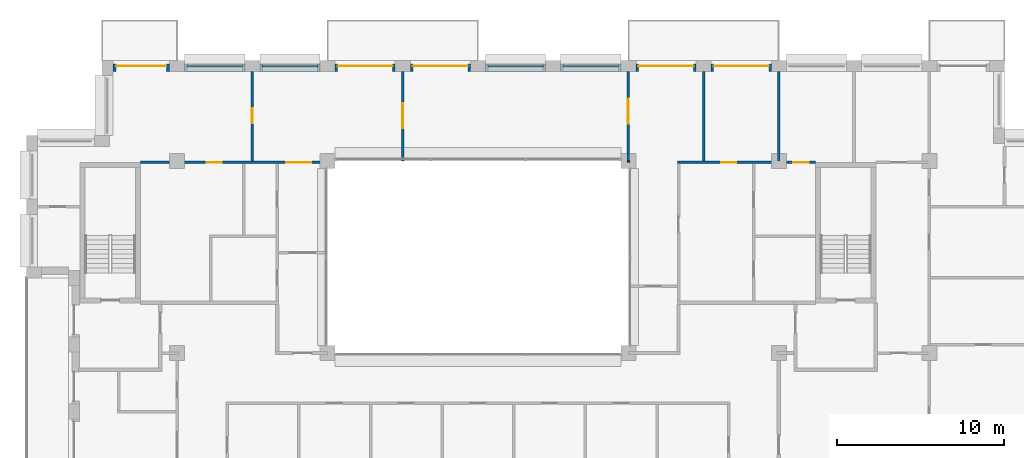
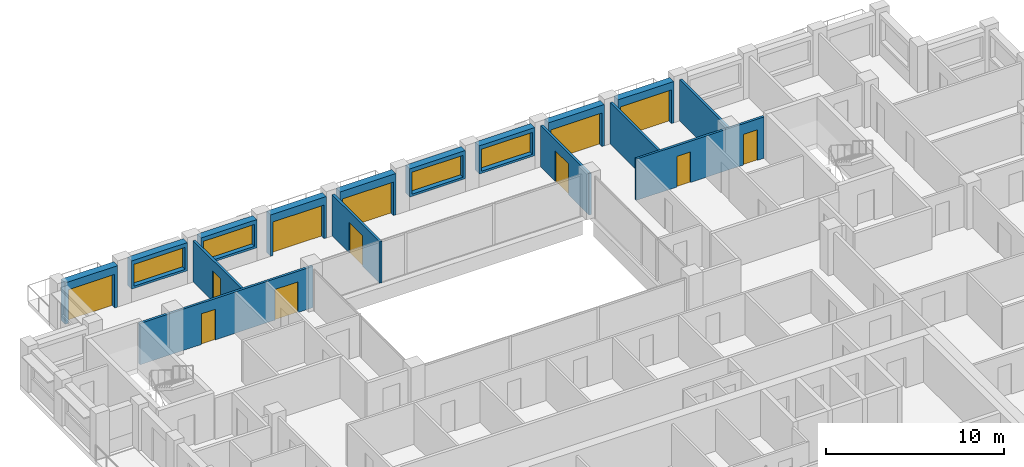
# One storey, part 13 of 15: 17 walls, 12 doors, 4 windows, 16 openings.
"""IFC4 building model written with IfcOpenShell, lengths in metres."""

from ifc_helpers import new_model, si_unit, direction, frame, frame_2d, origin, place, context, subcontext, project, spatial, rectangle, extrude, material, layer, layer_set, type_object, element, fill, save


model = new_model("IFC4")

# Units and contexts
model_context = context("Model", 3, precision=1e-05, world=origin(), true_north=direction((0.0, 1.0)))
body_context = subcontext(model_context, "Body", "Model", "MODEL_VIEW")
ifc_project = project(units=[si_unit("LENGTHUNIT", "METRE"), si_unit("AREAUNIT", "SQUARE_METRE"), si_unit("VOLUMEUNIT", "CUBIC_METRE"), si_unit("PLANEANGLEUNIT", "RADIAN"), si_unit("MASSUNIT", "GRAM", prefix="KILO")], contexts=[model_context])

# Site, building, storey
site_placement = place(None, origin())
site = spatial("IfcSite", under=ifc_project, at=site_placement, CompositionType="ELEMENT")
building_placement = place(site_placement, origin())
building = spatial("IfcBuilding", under=site, at=building_placement, Name="Brigalow Station Residences", CompositionType="ELEMENT")
storey_placement = place(building_placement, frame((0.0, 0.0, 216.89990234375)))
storey = spatial("IfcBuildingStorey", under=building, at=storey_placement, Name="L62", CompositionType="ELEMENT", Elevation=216.89990234375)

# Wall, opening, door
ifc_material_1 = material(Name="Clay brick masonry", Category="masonry")
ifc_layer_1 = layer(ifc_material_1, 0.449951171875)
ifc_layer_set_1 = layer_set([ifc_layer_1], Name="BRICK INFILL WALL 450")
wall_type_1 = type_object("IfcWallType", Name="BRICK INFILL WALL 450", PredefinedType="SOLIDWALL", material=ifc_layer_set_1)
wall_1_placement = place(storey_placement, frame((53.550048828125, 41.074951171875, 0.0), z_axis=(0.0, 0.0, 1.0), x_axis=(-1.0, 0.0, 0.0)))
wall_1 = element("IfcWall", 1, at=wall_1_placement, inside=storey, type_object=wall_type_1, Name="L62/ewall/W-L62-23", PredefinedType="SOLIDWALL", context=body_context, shape_type="SweptSolid", body=[
    extrude(rectangle(XDim=3.60009765625, YDim=0.449951171875, at=frame_2d((1.800048828125, 0.0))), origin(), (0.0, 0.0, 1.0), 2.830078125),
])
opening_1_placement = place(wall_1_placement, frame((0.14990234375, 0.0, 0.0)))
opening_1 = element("IfcOpeningElement", 2, at=opening_1_placement, cuts=wall_1, Name="Opening D-B3300", PredefinedType="OPENING", context=body_context, shape_type="SweptSolid", body=[
    extrude(rectangle(XDim=3.300048828125, YDim=2.300048828125, at=frame_2d((1.64990234375, 1.14990234375))), frame((0.0, 0.23486328125, 0.0), z_axis=(0.0, -1.0, 0.0), x_axis=(1.0, 0.0, 0.0)), (0.0, 0.0, 1.0), 0.469970703125),
])
ifc_material_2 = material(Name="Anodised aluminium frame with double glazing", Category="aluminium")
door_type_1 = type_object("IfcDoorType", Name="BALCONY SLIDING DOOR 3300x2300", OperationType="SLIDING_TO_LEFT", PredefinedType="DOOR", material=ifc_material_2)
door_1_placement = place(opening_1_placement, origin())
door_1 = element("IfcDoor", 3, at=door_1_placement, inside=storey, type_object=door_type_1, Name="L62/balcony-door/W-L62-23", OperationType="SLIDING_TO_LEFT", OverallHeight=2.300048828125, OverallWidth=3.300048828125, PredefinedType="DOOR", context=body_context, shape_type="SweptSolid", body=[
    extrude(rectangle(XDim=3.300048828125, YDim=2.300048828125, at=frame_2d((1.64990234375, 1.14990234375))), frame((0.0, -0.06982421875, 0.0), z_axis=(0.0, -1.0, 0.0), x_axis=(1.0, 0.0, 0.0)), (0.0, 0.0, 1.0), 0.050048828125),
])
fill(opening_1, door_1)

wall_2_placement = place(storey_placement, frame((49.050048828125, 41.074951171875, 0.0), z_axis=(0.0, 0.0, 1.0), x_axis=(-1.0, 0.0, 0.0)))
wall_2 = element("IfcWall", 4, at=wall_2_placement, inside=storey, type_object=wall_type_1, Name="L62/ewall/W-L62-24", PredefinedType="SOLIDWALL", context=body_context, shape_type="SweptSolid", body=[
    extrude(rectangle(XDim=3.60009765625, YDim=0.449951171875, at=frame_2d((1.800048828125, 0.0))), origin(), (0.0, 0.0, 1.0), 2.830078125),
])
opening_2_placement = place(wall_2_placement, frame((0.14990234375, 0.0, 0.0)))
opening_2 = element("IfcOpeningElement", 5, at=opening_2_placement, cuts=wall_2, Name="Opening D-B3300", PredefinedType="OPENING", context=body_context, shape_type="SweptSolid", body=[
    extrude(rectangle(XDim=3.300048828125, YDim=2.300048828125, at=frame_2d((1.64990234375, 1.14990234375))), frame((0.0, 0.23486328125, 0.0), z_axis=(0.0, -1.0, 0.0), x_axis=(1.0, 0.0, 0.0)), (0.0, 0.0, 1.0), 0.469970703125),
])
door_2_placement = place(opening_2_placement, origin())
door_2 = element("IfcDoor", 6, at=door_2_placement, inside=storey, type_object=door_type_1, Name="L62/balcony-door/W-L62-24", OperationType="SLIDING_TO_LEFT", OverallHeight=2.300048828125, OverallWidth=3.300048828125, PredefinedType="DOOR", context=body_context, shape_type="SweptSolid", body=[
    extrude(rectangle(XDim=3.300048828125, YDim=2.300048828125, at=frame_2d((1.64990234375, 1.14990234375))), frame((0.0, -0.06982421875, 0.0), z_axis=(0.0, -1.0, 0.0), x_axis=(1.0, 0.0, 0.0)), (0.0, 0.0, 1.0), 0.050048828125),
])
fill(opening_2, door_2)

# Wall, opening, window
wall_3_placement = place(storey_placement, frame((44.550048828125, 41.074951171875, 0.900146484375), z_axis=(0.0, 0.0, 1.0), x_axis=(-1.0, 0.0, 0.0)))
wall_3 = element("IfcWall", 7, at=wall_3_placement, inside=storey, type_object=wall_type_1, Name="L62/ewall/W-L62-25", PredefinedType="SOLIDWALL", context=body_context, shape_type="SweptSolid", body=[
    extrude(rectangle(XDim=3.60009765625, YDim=0.449951171875, at=frame_2d((1.800048828125, 0.0))), origin(), (0.0, 0.0, 1.0), 1.929931640625),
])
opening_3_placement = place(wall_3_placement, frame((0.14990234375, 0.0, 0.14990234375)))
opening_3 = element("IfcOpeningElement", 8, at=opening_3_placement, cuts=wall_3, Name="Opening WT-10", PredefinedType="OPENING", context=body_context, shape_type="SweptSolid", body=[
    extrude(rectangle(XDim=3.300048828125, YDim=1.5, at=frame_2d((1.64990234375, 0.75))), frame((0.0, 0.23486328125, 0.0), z_axis=(0.0, -1.0, 0.0), x_axis=(1.0, 0.0, 0.0)), (0.0, 0.0, 1.0), 0.469970703125),
])
ifc_material_3 = material(Name="Anodised aluminium frame with double glazing", Category="aluminium")
window_type = type_object("IfcWindowType", Name="WINDOW 3300x1500", PartitioningType="SINGLE_PANEL", PredefinedType="WINDOW", material=ifc_material_3)
window_1_placement = place(opening_3_placement, origin())
window_1 = element("IfcWindow", 9, at=window_1_placement, inside=storey, type_object=window_type, Name="L62/window/W-L62-25", OverallHeight=1.5, OverallWidth=3.300048828125, PartitioningType="SINGLE_PANEL", PredefinedType="WINDOW", context=body_context, shape_type="SweptSolid", body=[
    extrude(rectangle(XDim=3.300048828125, YDim=1.5, at=frame_2d((1.64990234375, 0.75))), frame((0.0, -0.06494140625, 0.0), z_axis=(0.0, -1.0, 0.0), x_axis=(1.0, 0.0, 0.0)), (0.0, 0.0, 1.0), 0.06005859375),
])
fill(opening_3, window_1)

wall_4_placement = place(storey_placement, frame((40.050048828125, 41.074951171875, 0.900146484375), z_axis=(0.0, 0.0, 1.0), x_axis=(-1.0, 0.0, 0.0)))
wall_4 = element("IfcWall", 10, at=wall_4_placement, inside=storey, type_object=wall_type_1, Name="L62/ewall/W-L62-26", PredefinedType="SOLIDWALL", context=body_context, shape_type="SweptSolid", body=[
    extrude(rectangle(XDim=3.60009765625, YDim=0.449951171875, at=frame_2d((1.800048828125, 0.0))), origin(), (0.0, 0.0, 1.0), 1.929931640625),
])
opening_4_placement = place(wall_4_placement, frame((0.14990234375, 0.0, 0.14990234375)))
opening_4 = element("IfcOpeningElement", 11, at=opening_4_placement, cuts=wall_4, Name="Opening WT-10", PredefinedType="OPENING", context=body_context, shape_type="SweptSolid", body=[
    extrude(rectangle(XDim=3.300048828125, YDim=1.5, at=frame_2d((1.64990234375, 0.75))), frame((0.0, 0.23486328125, 0.0), z_axis=(0.0, -1.0, 0.0), x_axis=(1.0, 0.0, 0.0)), (0.0, 0.0, 1.0), 0.469970703125),
])
window_2_placement = place(opening_4_placement, origin())
window_2 = element("IfcWindow", 12, at=window_2_placement, inside=storey, type_object=window_type, Name="L62/window/W-L62-26", OverallHeight=1.5, OverallWidth=3.300048828125, PartitioningType="SINGLE_PANEL", PredefinedType="WINDOW", context=body_context, shape_type="SweptSolid", body=[
    extrude(rectangle(XDim=3.300048828125, YDim=1.5, at=frame_2d((1.64990234375, 0.75))), frame((0.0, -0.06494140625, 0.0), z_axis=(0.0, -1.0, 0.0), x_axis=(1.0, 0.0, 0.0)), (0.0, 0.0, 1.0), 0.06005859375),
])
fill(opening_4, window_2)

# Wall, opening, door
wall_5_placement = place(storey_placement, frame((35.550048828125, 41.074951171875, 0.0), z_axis=(0.0, 0.0, 1.0), x_axis=(-1.0, 0.0, 0.0)))
wall_5 = element("IfcWall", 13, at=wall_5_placement, inside=storey, type_object=wall_type_1, Name="L62/ewall/W-L62-27", PredefinedType="SOLIDWALL", context=body_context, shape_type="SweptSolid", body=[
    extrude(rectangle(XDim=3.60009765625, YDim=0.449951171875, at=frame_2d((1.800048828125, 0.0))), origin(), (0.0, 0.0, 1.0), 2.830078125),
])
opening_5_placement = place(wall_5_placement, frame((0.14990234375, 0.0, 0.0)))
opening_5 = element("IfcOpeningElement", 14, at=opening_5_placement, cuts=wall_5, Name="Opening D-B3300", PredefinedType="OPENING", context=body_context, shape_type="SweptSolid", body=[
    extrude(rectangle(XDim=3.300048828125, YDim=2.300048828125, at=frame_2d((1.64990234375, 1.14990234375))), frame((0.0, 0.23486328125, 0.0), z_axis=(0.0, -1.0, 0.0), x_axis=(1.0, 0.0, 0.0)), (0.0, 0.0, 1.0), 0.469970703125),
])
door_3_placement = place(opening_5_placement, origin())
door_3 = element("IfcDoor", 15, at=door_3_placement, inside=storey, type_object=door_type_1, Name="L62/balcony-door/W-L62-27", OperationType="SLIDING_TO_LEFT", OverallHeight=2.300048828125, OverallWidth=3.300048828125, PredefinedType="DOOR", context=body_context, shape_type="SweptSolid", body=[
    extrude(rectangle(XDim=3.300048828125, YDim=2.300048828125, at=frame_2d((1.64990234375, 1.14990234375))), frame((0.0, -0.06982421875, 0.0), z_axis=(0.0, -1.0, 0.0), x_axis=(1.0, 0.0, 0.0)), (0.0, 0.0, 1.0), 0.050048828125),
])
fill(opening_5, door_3)

wall_6_placement = place(storey_placement, frame((31.050048828125, 41.074951171875, 0.0), z_axis=(0.0, 0.0, 1.0), x_axis=(-1.0, 0.0, 0.0)))
wall_6 = element("IfcWall", 16, at=wall_6_placement, inside=storey, type_object=wall_type_1, Name="L62/ewall/W-L62-28", PredefinedType="SOLIDWALL", context=body_context, shape_type="SweptSolid", body=[
    extrude(rectangle(XDim=3.60009765625, YDim=0.449951171875, at=frame_2d((1.800048828125, 0.0))), origin(), (0.0, 0.0, 1.0), 2.830078125),
])
opening_6_placement = place(wall_6_placement, frame((0.14990234375, 0.0, 0.0)))
opening_6 = element("IfcOpeningElement", 17, at=opening_6_placement, cuts=wall_6, Name="Opening D-B3300", PredefinedType="OPENING", context=body_context, shape_type="SweptSolid", body=[
    extrude(rectangle(XDim=3.300048828125, YDim=2.300048828125, at=frame_2d((1.64990234375, 1.14990234375))), frame((0.0, 0.23486328125, 0.0), z_axis=(0.0, -1.0, 0.0), x_axis=(1.0, 0.0, 0.0)), (0.0, 0.0, 1.0), 0.469970703125),
])
door_4_placement = place(opening_6_placement, origin())
door_4 = element("IfcDoor", 18, at=door_4_placement, inside=storey, type_object=door_type_1, Name="L62/balcony-door/W-L62-28", OperationType="SLIDING_TO_LEFT", OverallHeight=2.300048828125, OverallWidth=3.300048828125, PredefinedType="DOOR", context=body_context, shape_type="SweptSolid", body=[
    extrude(rectangle(XDim=3.300048828125, YDim=2.300048828125, at=frame_2d((1.64990234375, 1.14990234375))), frame((0.0, -0.06982421875, 0.0), z_axis=(0.0, -1.0, 0.0), x_axis=(1.0, 0.0, 0.0)), (0.0, 0.0, 1.0), 0.050048828125),
])
fill(opening_6, door_4)

# Wall, opening, window
wall_7_placement = place(storey_placement, frame((26.550048828125, 41.074951171875, 0.900146484375), z_axis=(0.0, 0.0, 1.0), x_axis=(-1.0, 0.0, 0.0)))
wall_7 = element("IfcWall", 19, at=wall_7_placement, inside=storey, type_object=wall_type_1, Name="L62/ewall/W-L62-29", PredefinedType="SOLIDWALL", context=body_context, shape_type="SweptSolid", body=[
    extrude(rectangle(XDim=3.60009765625, YDim=0.449951171875, at=frame_2d((1.800048828125, 0.0))), origin(), (0.0, 0.0, 1.0), 1.929931640625),
])
opening_7_placement = place(wall_7_placement, frame((0.14990234375, 0.0, 0.14990234375)))
opening_7 = element("IfcOpeningElement", 20, at=opening_7_placement, cuts=wall_7, Name="Opening WT-10", PredefinedType="OPENING", context=body_context, shape_type="SweptSolid", body=[
    extrude(rectangle(XDim=3.300048828125, YDim=1.5, at=frame_2d((1.64990234375, 0.75))), frame((0.0, 0.23486328125, 0.0), z_axis=(0.0, -1.0, 0.0), x_axis=(1.0, 0.0, 0.0)), (0.0, 0.0, 1.0), 0.469970703125),
])
window_3_placement = place(opening_7_placement, origin())
window_3 = element("IfcWindow", 21, at=window_3_placement, inside=storey, type_object=window_type, Name="L62/window/W-L62-29", OverallHeight=1.5, OverallWidth=3.300048828125, PartitioningType="SINGLE_PANEL", PredefinedType="WINDOW", context=body_context, shape_type="SweptSolid", body=[
    extrude(rectangle(XDim=3.300048828125, YDim=1.5, at=frame_2d((1.64990234375, 0.75))), frame((0.0, -0.06494140625, 0.0), z_axis=(0.0, -1.0, 0.0), x_axis=(1.0, 0.0, 0.0)), (0.0, 0.0, 1.0), 0.06005859375),
])
fill(opening_7, window_3)

wall_8_placement = place(storey_placement, frame((22.050048828125, 41.074951171875, 0.900146484375), z_axis=(0.0, 0.0, 1.0), x_axis=(-1.0, 0.0, 0.0)))
wall_8 = element("IfcWall", 22, at=wall_8_placement, inside=storey, type_object=wall_type_1, Name="L62/ewall/W-L62-30", PredefinedType="SOLIDWALL", context=body_context, shape_type="SweptSolid", body=[
    extrude(rectangle(XDim=3.60009765625, YDim=0.449951171875, at=frame_2d((1.800048828125, 0.0))), origin(), (0.0, 0.0, 1.0), 1.929931640625),
])
opening_8_placement = place(wall_8_placement, frame((0.14990234375, 0.0, 0.14990234375)))
opening_8 = element("IfcOpeningElement", 23, at=opening_8_placement, cuts=wall_8, Name="Opening WT-10", PredefinedType="OPENING", context=body_context, shape_type="SweptSolid", body=[
    extrude(rectangle(XDim=3.300048828125, YDim=1.5, at=frame_2d((1.64990234375, 0.75))), frame((0.0, 0.23486328125, 0.0), z_axis=(0.0, -1.0, 0.0), x_axis=(1.0, 0.0, 0.0)), (0.0, 0.0, 1.0), 0.469970703125),
])
window_4_placement = place(opening_8_placement, origin())
window_4 = element("IfcWindow", 24, at=window_4_placement, inside=storey, type_object=window_type, Name="L62/window/W-L62-30", OverallHeight=1.5, OverallWidth=3.300048828125, PartitioningType="SINGLE_PANEL", PredefinedType="WINDOW", context=body_context, shape_type="SweptSolid", body=[
    extrude(rectangle(XDim=3.300048828125, YDim=1.5, at=frame_2d((1.64990234375, 0.75))), frame((0.0, -0.06494140625, 0.0), z_axis=(0.0, -1.0, 0.0), x_axis=(1.0, 0.0, 0.0)), (0.0, 0.0, 1.0), 0.06005859375),
])
fill(opening_8, window_4)

# Wall, opening, door
wall_9_placement = place(storey_placement, frame((17.550048828125, 41.074951171875, 0.0), z_axis=(0.0, 0.0, 1.0), x_axis=(-1.0, 0.0, 0.0)))
wall_9 = element("IfcWall", 25, at=wall_9_placement, inside=storey, type_object=wall_type_1, Name="L62/ewall/W-L62-31", PredefinedType="SOLIDWALL", context=body_context, shape_type="SweptSolid", body=[
    extrude(rectangle(XDim=3.400146484375, YDim=0.449951171875, at=frame_2d((1.7001953125, 0.0))), origin(), (0.0, 0.0, 1.0), 2.830078125),
])
opening_9_placement = place(wall_9_placement, frame((0.199951171875, 0.0, 0.0)))
opening_9 = element("IfcOpeningElement", 26, at=opening_9_placement, cuts=wall_9, Name="Opening D-B3000", PredefinedType="OPENING", context=body_context, shape_type="SweptSolid", body=[
    extrude(rectangle(XDim=3.0, YDim=2.300048828125, at=frame_2d((1.5, 1.14990234375))), frame((0.0, 0.23486328125, 0.0), z_axis=(0.0, -1.0, 0.0), x_axis=(1.0, 0.0, 0.0)), (0.0, 0.0, 1.0), 0.469970703125),
])
ifc_material_4 = material(Name="Anodised aluminium frame with double glazing", Category="aluminium")
door_type_2 = type_object("IfcDoorType", Name="BALCONY SLIDING DOOR 3000x2300", OperationType="SLIDING_TO_LEFT", PredefinedType="DOOR", material=ifc_material_4)
door_5_placement = place(opening_9_placement, origin())
door_5 = element("IfcDoor", 27, at=door_5_placement, inside=storey, type_object=door_type_2, Name="L62/balcony-door/W-L62-31", OperationType="SLIDING_TO_LEFT", OverallHeight=2.300048828125, OverallWidth=3.0, PredefinedType="DOOR", context=body_context, shape_type="SweptSolid", body=[
    extrude(rectangle(XDim=3.0, YDim=2.300048828125, at=frame_2d((1.5, 1.14990234375))), frame((0.0, -0.06982421875, 0.0), z_axis=(0.0, -1.0, 0.0), x_axis=(1.0, 0.0, 0.0)), (0.0, 0.0, 1.0), 0.050048828125),
])
fill(opening_9, door_5)

# Wall, openings, doors
ifc_material_5 = material(Name="Plasterboard on steel stud partition", Category="steel")
ifc_layer_2 = layer(ifc_material_5, 0.14990234375)
ifc_layer_set_2 = layer_set([ifc_layer_2], Name="FLAT PARTITION 150")
wall_type_2 = type_object("IfcWallType", Name="FLAT PARTITION 150", PredefinedType="PARTITIONING", material=ifc_layer_set_2)
wall_10_placement = place(storey_placement, frame((15.800048828125, 35.39990234375, 0.0), z_axis=(0.0, 0.0, 1.0), x_axis=(1.0, 0.0, 0.0)))
wall_10 = element("IfcWall", 28, at=wall_10_placement, inside=storey, type_object=wall_type_2, Name="PW-4C14", PredefinedType="PARTITIONING", context=body_context, shape_type="SweptSolid", body=[
    extrude(rectangle(XDim=11.199951171875, YDim=0.14990234375, at=frame_2d((5.60009765625, 0.0))), origin(), (0.0, 0.0, 1.0), 2.830078125),
])
opening_10_placement = place(wall_10_placement, frame((8.72509765625, 0.0, 0.0)))
opening_10 = element("IfcOpeningElement", 29, at=opening_10_placement, cuts=wall_10, Name="Opening D-4C11", PredefinedType="OPENING", context=body_context, shape_type="SweptSolid", body=[
    extrude(rectangle(XDim=1.5, YDim=2.10009765625, at=frame_2d((0.75, 1.050048828125))), frame((0.0, 0.0849609375, 0.0), z_axis=(0.0, -1.0, 0.0), x_axis=(1.0, 0.0, 0.0)), (0.0, 0.0, 1.0), 0.169921875),
])
opening_11_placement = place(wall_10_placement, frame((3.97509765625, 0.0, 0.0)))
opening_11 = element("IfcOpeningElement", 30, at=opening_11_placement, cuts=wall_10, Name="Opening D-4C12", PredefinedType="OPENING", context=body_context, shape_type="SweptSolid", body=[
    extrude(rectangle(XDim=0.89990234375, YDim=2.10009765625, at=frame_2d((0.449951171875, 1.050048828125))), frame((0.0, 0.0849609375, 0.0), z_axis=(0.0, -1.0, 0.0), x_axis=(1.0, 0.0, 0.0)), (0.0, 0.0, 1.0), 0.169921875),
])
ifc_material_6 = material(Name="Solid-core timber door leaf", Category="wood")
door_type_3 = type_object("IfcDoorType", Name="INTERNAL DOOR 900 x 2100", OperationType="SINGLE_SWING_LEFT", PredefinedType="DOOR", material=ifc_material_6)
door_6_placement = place(opening_11_placement, frame((0.89990234375, 0.0, 0.0), z_axis=(0.0, 0.0, 1.0), x_axis=(-1.0, 0.0, 0.0)))
door_6 = element("IfcDoor", 31, at=door_6_placement, inside=storey, type_object=door_type_3, Name="D-4C12", OperationType="SINGLE_SWING_LEFT", OverallHeight=2.10009765625, OverallWidth=0.89990234375, PredefinedType="DOOR", context=body_context, shape_type="SweptSolid", body=[
    extrude(rectangle(XDim=0.89990234375, YDim=2.10009765625, at=frame_2d((0.449951171875, 1.050048828125))), frame((0.0, 0.02490234375, 0.0), z_axis=(0.0, -1.0, 0.0), x_axis=(1.0, 0.0, 0.0)), (0.0, 0.0, 1.0), 0.050048828125),
])
fill(opening_11, door_6)
ifc_material_7 = material(Name="Solid-core timber door leaf", Category="wood")
door_type_4 = type_object("IfcDoorType", Name="INTERNAL DOUBLE DOOR 1500 x 2100", OperationType="DOUBLE_DOOR_SINGLE_SWING", PredefinedType="DOOR", material=ifc_material_7)
door_7_placement = place(opening_10_placement, origin())
door_7 = element("IfcDoor", 32, at=door_7_placement, inside=storey, type_object=door_type_4, Name="D-4C11", OperationType="DOUBLE_DOOR_SINGLE_SWING", OverallHeight=2.10009765625, OverallWidth=1.5, PredefinedType="DOOR", context=body_context, shape_type="SweptSolid", body=[
    extrude(rectangle(XDim=1.5, YDim=2.10009765625, at=frame_2d((0.75, 1.050048828125))), frame((0.0, 0.02490234375, 0.0), z_axis=(0.0, -1.0, 0.0), x_axis=(1.0, 0.0, 0.0)), (0.0, 0.0, 1.0), 0.050048828125),
])
fill(opening_10, door_7)

wall_11_placement = place(storey_placement, frame((47.925048828125, 35.39990234375, 0.0), z_axis=(0.0, 0.0, 1.0), x_axis=(1.0, 0.0, 0.0)))
wall_11 = element("IfcWall", 33, at=wall_11_placement, inside=storey, type_object=wall_type_2, Name="PW-4C15", PredefinedType="PARTITIONING", context=body_context, shape_type="SweptSolid", body=[
    extrude(rectangle(XDim=8.27490234375, YDim=0.14990234375, at=frame_2d((4.137451171875, 0.0))), origin(), (0.0, 0.0, 1.0), 2.830078125),
])
opening_12_placement = place(wall_11_placement, frame((2.625, 0.0, 0.0)))
opening_12 = element("IfcOpeningElement", 34, at=opening_12_placement, cuts=wall_11, Name="Opening D-4C19", PredefinedType="OPENING", context=body_context, shape_type="SweptSolid", body=[
    extrude(rectangle(XDim=0.89990234375, YDim=2.10009765625, at=frame_2d((0.449951171875, 1.050048828125))), frame((0.0, 0.0849609375, 0.0), z_axis=(0.0, -1.0, 0.0), x_axis=(1.0, 0.0, 0.0)), (0.0, 0.0, 1.0), 0.169921875),
])
opening_13_placement = place(wall_11_placement, frame((6.949951171875, 0.0, 0.0)))
opening_13 = element("IfcOpeningElement", 35, at=opening_13_placement, cuts=wall_11, Name="Opening D-4C22", PredefinedType="OPENING", context=body_context, shape_type="SweptSolid", body=[
    extrude(rectangle(XDim=0.89990234375, YDim=2.10009765625, at=frame_2d((0.449951171875, 1.050048828125))), frame((0.0, 0.0849609375, 0.0), z_axis=(0.0, -1.0, 0.0), x_axis=(1.0, 0.0, 0.0)), (0.0, 0.0, 1.0), 0.169921875),
])
door_8_placement = place(opening_12_placement, origin())
door_8 = element("IfcDoor", 36, at=door_8_placement, inside=storey, type_object=door_type_3, Name="D-4C19", OperationType="SINGLE_SWING_LEFT", OverallHeight=2.10009765625, OverallWidth=0.89990234375, PredefinedType="DOOR", context=body_context, shape_type="SweptSolid", body=[
    extrude(rectangle(XDim=0.89990234375, YDim=2.10009765625, at=frame_2d((0.449951171875, 1.050048828125))), frame((0.0, 0.02490234375, 0.0), z_axis=(0.0, -1.0, 0.0), x_axis=(1.0, 0.0, 0.0)), (0.0, 0.0, 1.0), 0.050048828125),
])
fill(opening_12, door_8)
door_9_placement = place(opening_13_placement, origin())
door_9 = element("IfcDoor", 37, at=door_9_placement, inside=storey, type_object=door_type_3, Name="D-4C22", OperationType="SINGLE_SWING_LEFT", OverallHeight=2.10009765625, OverallWidth=0.89990234375, PredefinedType="DOOR", context=body_context, shape_type="SweptSolid", body=[
    extrude(rectangle(XDim=0.89990234375, YDim=2.10009765625, at=frame_2d((0.449951171875, 1.050048828125))), frame((0.0, 0.02490234375, 0.0), z_axis=(0.0, -1.0, 0.0), x_axis=(1.0, 0.0, 0.0)), (0.0, 0.0, 1.0), 0.050048828125),
])
fill(opening_13, door_9)

# Wall
wall_12_placement = place(storey_placement, frame((54.0, 35.47509765625, 0.0), z_axis=(0.0, 0.0, 1.0), x_axis=(0.0, 1.0, 0.0)))
element("IfcWall", 38, at=wall_12_placement, inside=storey, type_object=wall_type_2, Name="PW-4C28", PredefinedType="PARTITIONING", context=body_context, shape_type="SweptSolid", body=[
    extrude(rectangle(XDim=5.375, YDim=0.14990234375, at=frame_2d((2.6875, 0.0))), origin(), (0.0, 0.0, 1.0), 2.830078125),
])

# Wall, opening, door
wall_13_placement = place(storey_placement, frame((22.5, 35.47509765625, 0.0), z_axis=(0.0, 0.0, 1.0), x_axis=(0.0, 1.0, 0.0)))
wall_13 = element("IfcWall", 39, at=wall_13_placement, inside=storey, type_object=wall_type_2, Name="PW-4C39", PredefinedType="PARTITIONING", context=body_context, shape_type="SweptSolid", body=[
    extrude(rectangle(XDim=5.375, YDim=0.14990234375, at=frame_2d((2.6875, 0.0))), origin(), (0.0, 0.0, 1.0), 2.830078125),
])
opening_14_placement = place(wall_13_placement, frame((2.27490234375, 0.0, 0.0)))
opening_14 = element("IfcOpeningElement", 40, at=opening_14_placement, cuts=wall_13, Name="Opening D-4C14", PredefinedType="OPENING", context=body_context, shape_type="SweptSolid", body=[
    extrude(rectangle(XDim=0.89990234375, YDim=2.10009765625, at=frame_2d((0.449951171875, 1.050048828125))), frame((0.0, 0.0849609375, 0.0), z_axis=(0.0, -1.0, 0.0), x_axis=(1.0, 0.0, 0.0)), (0.0, 0.0, 1.0), 0.169921875),
])
door_10_placement = place(opening_14_placement, frame((0.89990234375, 0.0, 0.0), z_axis=(0.0, 0.0, 1.0), x_axis=(-1.0, 0.0, 0.0)))
door_10 = element("IfcDoor", 41, at=door_10_placement, inside=storey, type_object=door_type_3, Name="D-4C14", OperationType="SINGLE_SWING_LEFT", OverallHeight=2.10009765625, OverallWidth=0.89990234375, PredefinedType="DOOR", context=body_context, shape_type="SweptSolid", body=[
    extrude(rectangle(XDim=0.89990234375, YDim=2.10009765625, at=frame_2d((0.449951171875, 1.050048828125))), frame((0.0, 0.02490234375, 0.0), z_axis=(0.0, -1.0, 0.0), x_axis=(1.0, 0.0, 0.0)), (0.0, 0.0, 1.0), 0.050048828125),
])
fill(opening_14, door_10)

wall_14_placement = place(storey_placement, frame((31.5, 35.5, 0.0), z_axis=(0.0, 0.0, 1.0), x_axis=(0.0, 1.0, 0.0)))
wall_14 = element("IfcWall", 42, at=wall_14_placement, inside=storey, type_object=wall_type_2, Name="PW-4C40", PredefinedType="PARTITIONING", context=body_context, shape_type="SweptSolid", body=[
    extrude(rectangle(XDim=5.35009765625, YDim=0.14990234375, at=frame_2d((2.675048828125, 0.0))), origin(), (0.0, 0.0, 1.0), 2.830078125),
])
opening_15_placement = place(wall_14_placement, frame((1.949951171875, 0.0, 0.0)))
opening_15 = element("IfcOpeningElement", 43, at=opening_15_placement, cuts=wall_14, Name="Opening D-4C15", PredefinedType="OPENING", context=body_context, shape_type="SweptSolid", body=[
    extrude(rectangle(XDim=1.5, YDim=2.10009765625, at=frame_2d((0.75, 1.050048828125))), frame((0.0, 0.0849609375, 0.0), z_axis=(0.0, -1.0, 0.0), x_axis=(1.0, 0.0, 0.0)), (0.0, 0.0, 1.0), 0.169921875),
])
door_11_placement = place(opening_15_placement, origin())
door_11 = element("IfcDoor", 44, at=door_11_placement, inside=storey, type_object=door_type_4, Name="D-4C15", OperationType="DOUBLE_DOOR_SINGLE_SWING", OverallHeight=2.10009765625, OverallWidth=1.5, PredefinedType="DOOR", context=body_context, shape_type="SweptSolid", body=[
    extrude(rectangle(XDim=1.5, YDim=2.10009765625, at=frame_2d((0.75, 1.050048828125))), frame((0.0, 0.02490234375, 0.0), z_axis=(0.0, -1.0, 0.0), x_axis=(1.0, 0.0, 0.0)), (0.0, 0.0, 1.0), 0.050048828125),
])
fill(opening_15, door_11)

# Wall
wall_15_placement = place(storey_placement, frame((45.0, 35.39990234375, 0.0), z_axis=(0.0, 0.0, 1.0), x_axis=(0.0, 1.0, 0.0)))
element("IfcWall", 45, at=wall_15_placement, inside=storey, type_object=wall_type_2, Name="PW-4C41", PredefinedType="PARTITIONING", context=body_context, shape_type="SweptSolid", body=[
    extrude(rectangle(XDim=0.10009765625, YDim=0.14990234375, at=frame_2d((0.050048828125, 0.0))), origin(), (0.0, 0.0, 1.0), 2.830078125),
])

# Wall, opening, door
wall_16_placement = place(storey_placement, frame((45.0, 35.5, 0.0), z_axis=(0.0, 0.0, 1.0), x_axis=(0.0, 1.0, 0.0)))
wall_16 = element("IfcWall", 46, at=wall_16_placement, inside=storey, type_object=wall_type_2, Name="PW-4C42", PredefinedType="PARTITIONING", context=body_context, shape_type="SweptSolid", body=[
    extrude(rectangle(XDim=5.35009765625, YDim=0.14990234375, at=frame_2d((2.675048828125, 0.0))), origin(), (0.0, 0.0, 1.0), 2.830078125),
])
opening_16_placement = place(wall_16_placement, frame((2.22509765625, 0.0, 0.0)))
opening_16 = element("IfcOpeningElement", 47, at=opening_16_placement, cuts=wall_16, Name="Opening D-4C16", PredefinedType="OPENING", context=body_context, shape_type="SweptSolid", body=[
    extrude(rectangle(XDim=1.5, YDim=2.10009765625, at=frame_2d((0.75, 1.050048828125))), frame((0.0, 0.0849609375, 0.0), z_axis=(0.0, -1.0, 0.0), x_axis=(1.0, 0.0, 0.0)), (0.0, 0.0, 1.0), 0.169921875),
])
door_12_placement = place(opening_16_placement, frame((1.5, 0.0, 0.0), z_axis=(0.0, 0.0, 1.0), x_axis=(-1.0, 0.0, 0.0)))
door_12 = element("IfcDoor", 48, at=door_12_placement, inside=storey, type_object=door_type_4, Name="D-4C16", OperationType="DOUBLE_DOOR_SINGLE_SWING", OverallHeight=2.10009765625, OverallWidth=1.5, PredefinedType="DOOR", context=body_context, shape_type="SweptSolid", body=[
    extrude(rectangle(XDim=1.5, YDim=2.10009765625, at=frame_2d((0.75, 1.050048828125))), frame((0.0, 0.02490234375, 0.0), z_axis=(0.0, -1.0, 0.0), x_axis=(1.0, 0.0, 0.0)), (0.0, 0.0, 1.0), 0.050048828125),
])
fill(opening_16, door_12)

# Wall
wall_17_placement = place(storey_placement, frame((49.5, 35.47509765625, 0.0), z_axis=(0.0, 0.0, 1.0), x_axis=(0.0, 1.0, 0.0)))
element("IfcWall", 49, at=wall_17_placement, inside=storey, type_object=wall_type_2, Name="PW-4C43", PredefinedType="PARTITIONING", context=body_context, shape_type="SweptSolid", body=[
    extrude(rectangle(XDim=5.375, YDim=0.14990234375, at=frame_2d((2.6875, 0.0))), origin(), (0.0, 0.0, 1.0), 2.830078125),
])

save(model, "model.ifc")
